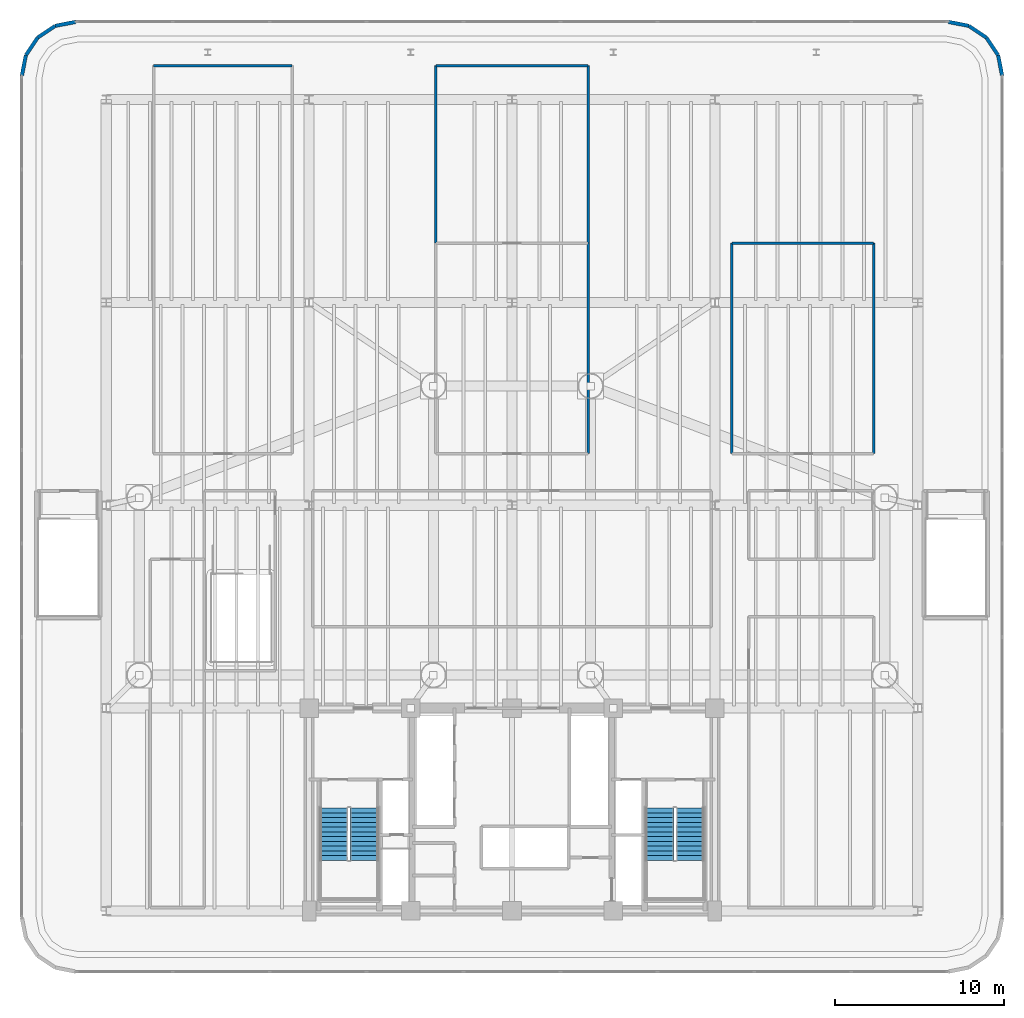
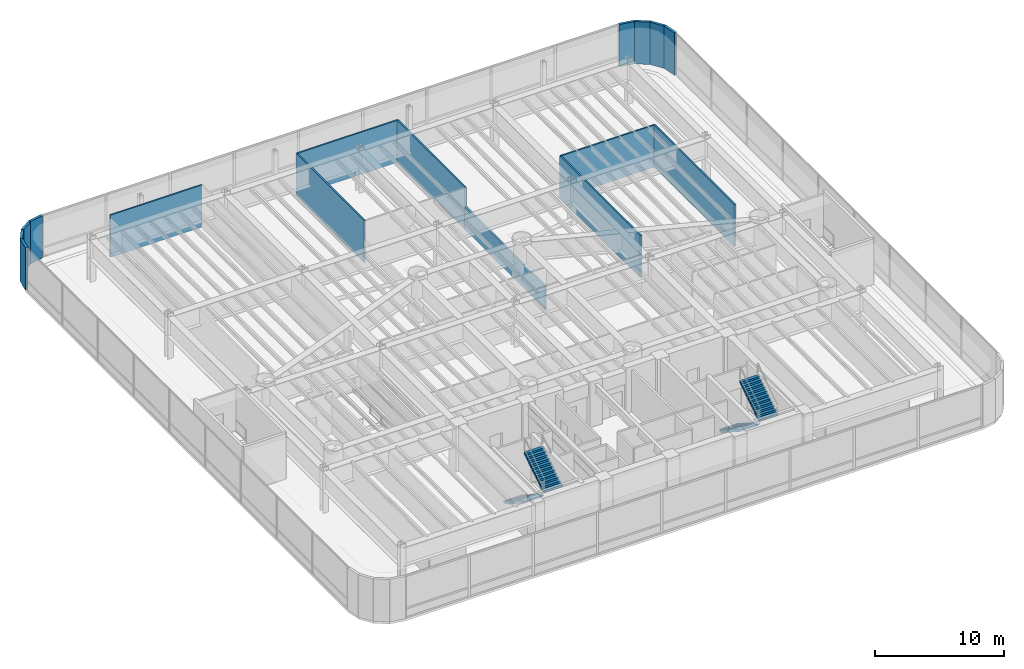
# One storey, part 15 of 18: 16 walls, 4 stair flights, 2 elements without a shape of their own.
"""IFC4 building model written with IfcOpenShell, lengths in metres."""

from ifc_helpers import new_model, si_unit, direction, frame, frame_2d, origin, place, context, subcontext, project, spatial, polyline, rectangle, outline, extrude, material, layer, layer_set, type_object, element, aggregate, save


model = new_model("IFC4")

# Units and contexts
model_context = context("Model", 3, precision=1e-05, world=origin(), true_north=direction((0.0, 1.0)))
body_context = subcontext(model_context, "Body", "Model", "MODEL_VIEW")
ifc_project = project(units=[si_unit("LENGTHUNIT", "METRE"), si_unit("AREAUNIT", "SQUARE_METRE"), si_unit("VOLUMEUNIT", "CUBIC_METRE"), si_unit("PLANEANGLEUNIT", "RADIAN"), si_unit("MASSUNIT", "GRAM", prefix="KILO")], contexts=[model_context])

# Site, building, storey
site_placement = place(None, origin())
site = spatial("IfcSite", under=ifc_project, at=site_placement, CompositionType="ELEMENT")
building_placement = place(site_placement, origin())
building = spatial("IfcBuilding", under=site, at=building_placement, Name="Brelvock Crest Care Tower", CompositionType="ELEMENT")
storey_placement = place(building_placement, frame((0.0, 0.0, 22.679931640625)))
storey = spatial("IfcBuildingStorey", under=building, at=storey_placement, Name="L05", CompositionType="ELEMENT", Elevation=22.679931640625)

# Walls
ifc_material_1 = material(Name="Precast concrete N40 (40 MPa)", Category="concrete")
ifc_layer_1 = layer(ifc_material_1, 0.215087890625, Name="WL-EX2")
ifc_layer_set_1 = layer_set([ifc_layer_1], Name="Precast concrete N40 (40 MPa)")
wall_type_1 = type_object("IfcWallType", Name="WL-EX2", PredefinedType="SOLIDWALL", material=ifc_layer_set_1)
for number, where, z_axis, x_axis, name in (
    (1, (7.0, 55.39990234375, 0.0), (0.0, 0.0, 1.0), (0.195138390419, 0.980775717779, 0.0), "L05 Rounded Corner Wall 05"),
    (2, (7.24365234375, 56.62451171875, 0.0), (0.0, 0.0, 1.0), (0.555557312883, 0.831478245117, 0.0), "L05 Rounded Corner Wall 06"),
    (3, (7.937255859375, 57.66259765625, 0.0), (0.0, 0.0, 1.0), (0.831387912822, 0.555692485475, 0.0), "L05 Rounded Corner Wall 07"),
    (4, (8.975341796875, 58.3564453125, 0.0), (0.0, 0.0, 1.0), (0.980775717779, 0.195138390419, 0.0), "L05 Rounded Corner Wall 08"),
    (5, (61.800048828125, 58.60009765625, 0.0), (0.0, 0.0, 1.0), (0.980775717779, -0.195138390419, 0.0), "L05 Rounded Corner Wall 10"),
    (6, (63.024658203125, 58.3564453125, 0.0), (0.0, 0.0, 1.0), (0.831387912822, -0.555692485475, 0.0), "L05 Rounded Corner Wall 11"),
    (7, (64.062744140625, 57.66259765625, 0.0), (0.0, 0.0, 1.0), (0.555557312883, -0.831478245117, 0.0), "L05 Rounded Corner Wall 12"),
    (8, (64.75634765625, 56.62451171875, 0.0), (0.0, 0.0, 1.0), (0.195138390419, -0.980775717779, 0.0), "L05 Rounded Corner Wall 13"),
):
    element("IfcWall", number, at=place(storey_placement, frame(where, z_axis=z_axis, x_axis=x_axis)), inside=storey, type_object=wall_type_1, Name=name, PredefinedType="SOLIDWALL", context=body_context, shape_type="SweptSolid", body=[
        extrude(rectangle(XDim=1.24853515625, YDim=0.215087890625, at=frame_2d((0.624267578125, 0.0))), origin(), (0.0, 0.0, 1.0), 4.0),
    ])
ifc_material_2 = material(Name="Masonry Blockwork Acoustic Partition", Category="masonry")
ifc_layer_2 = layer(ifc_material_2, 0.14990234375, Name="WL-INT1")
ifc_layer_set_2 = layer_set([ifc_layer_2], Name="Masonry Blockwork Acoustic Partition")
wall_type_2 = type_object("IfcWallType", Name="WL-INT1", PredefinedType="PARTITIONING", material=ifc_layer_set_2)
wall_1_placement = place(storey_placement, frame((49.0, 45.5, 0.0), z_axis=(0.0, 0.0, 1.0), x_axis=(1.0, 0.0, 0.0)))
element("IfcWall", 9, at=wall_1_placement, inside=storey, type_object=wall_type_2, Name="L05 Interior Wall WL-BX-L05-OFF2-N", PredefinedType="PARTITIONING", context=body_context, shape_type="SweptSolid", body=[
    extrude(rectangle(XDim=8.39990234375, YDim=0.14990234375, at=frame_2d((4.199951171875, 0.0))), origin(), (0.0, 0.0, 1.0), 3.969970703125),
])
wall_2_placement = place(storey_placement, frame((14.800048828125, 56.0, 0.0), z_axis=(0.0, 0.0, 1.0), x_axis=(1.0, 0.0, 0.0)))
element("IfcWall", 10, at=wall_2_placement, inside=storey, type_object=wall_type_2, Name="L05 Interior Wall WL-BX-L05-AUD-N", PredefinedType="PARTITIONING", context=body_context, shape_type="SweptSolid", body=[
    extrude(rectangle(XDim=8.199951171875, YDim=0.14990234375, at=frame_2d((4.10009765625, 0.0))), origin(), (0.0, 0.0, 1.0), 3.969970703125),
])
wall_3_placement = place(storey_placement, frame((31.5, 56.0, 0.0), z_axis=(0.0, 0.0, 1.0), x_axis=(1.0, 0.0, 0.0)))
element("IfcWall", 11, at=wall_3_placement, inside=storey, type_object=wall_type_2, Name="L05 Interior Wall WL-BX-L05-OFF3-N", PredefinedType="PARTITIONING", context=body_context, shape_type="SweptSolid", body=[
    extrude(rectangle(XDim=9.0, YDim=0.14990234375, at=frame_2d((4.5, 0.0))), origin(), (0.0, 0.0, 1.0), 3.969970703125),
])
wall_4_placement = place(storey_placement, frame((31.5, 45.5, 0.0), z_axis=(0.0, 0.0, 1.0), x_axis=(0.0, 1.0, 0.0)))
element("IfcWall", 12, at=wall_4_placement, inside=storey, type_object=wall_type_2, Name="L05 Interior Wall WL-BX-L05-OFF3-W", PredefinedType="PARTITIONING", context=body_context, shape_type="SweptSolid", body=[
    extrude(rectangle(XDim=10.5, YDim=0.14990234375, at=frame_2d((5.25, 0.0))), origin(), (0.0, 0.0, 1.0), 3.969970703125),
])
wall_5_placement = place(storey_placement, frame((40.5, 33.050048828125, 0.0), z_axis=(0.0, 0.0, 1.0), x_axis=(0.0, 1.0, 0.0)))
element("IfcWall", 13, at=wall_5_placement, inside=storey, type_object=wall_type_2, Name="L05 Interior Wall WL-BX-L05-OFF1-E", PredefinedType="PARTITIONING", context=body_context, shape_type="SweptSolid", body=[
    extrude(rectangle(XDim=12.449951171875, YDim=0.14990234375, at=frame_2d((6.22509765625, 0.0))), origin(), (0.0, 0.0, 1.0), 2.18505859375),
])
wall_6_placement = place(storey_placement, frame((40.5, 45.5, 0.0), z_axis=(0.0, 0.0, 1.0), x_axis=(0.0, 1.0, 0.0)))
element("IfcWall", 14, at=wall_6_placement, inside=storey, type_object=wall_type_2, Name="L05 Interior Wall WL-BX-L05-OFF3-E", PredefinedType="PARTITIONING", context=body_context, shape_type="SweptSolid", body=[
    extrude(rectangle(XDim=10.5, YDim=0.14990234375, at=frame_2d((5.25, 0.0))), origin(), (0.0, 0.0, 1.0), 3.969970703125),
])
for number, where, z_axis, x_axis, name in (
    (15, (49.0, 33.050048828125, 0.0), (0.0, 0.0, 1.0), (0.0, 1.0, 0.0), "L05 Interior Wall WL-BX-L05-OFF2-W"),
    (16, (57.39990234375, 33.050048828125, 0.0), (0.0, 0.0, 1.0), (0.0, 1.0, 0.0), "L05 Interior Wall WL-BX-L05-OFF2-E"),
):
    element("IfcWall", number, at=place(storey_placement, frame(where, z_axis=z_axis, x_axis=x_axis)), inside=storey, type_object=wall_type_2, Name=name, PredefinedType="PARTITIONING", context=body_context, shape_type="SweptSolid", body=[
        extrude(rectangle(XDim=12.449951171875, YDim=0.14990234375, at=frame_2d((6.22509765625, 0.0))), origin(), (0.0, 0.0, 1.0), 3.969970703125),
    ])

# Stair, stair flights
ifc_material_3 = material(Name="Concrete N40 (40 MPa)", Category="concrete")
stair_type = type_object("IfcStairType", Name="ST-CORE1", PredefinedType="HALF_TURN_STAIR", material=ifc_material_3)
stair_1_placement = place(storey_placement, origin())
stair_1 = element("IfcStair", 17, at=stair_1_placement, inside=storey, type_object=stair_type, Name="L05 Fire-Isolated Core Stair ST-1", PredefinedType="HALF_TURN_STAIR")
stair_flight_type = type_object("IfcStairFlightType", Name="STF-1", PredefinedType="STRAIGHT", material=ifc_material_3)
stair_flight_1_placement = place(storey_placement, frame((25.469970703125, 12.080078125, 0.0), z_axis=(0.0, 0.0, 1.0), x_axis=(0.0, -1.0, 0.0)))
stair_flight_1 = element("IfcStairFlight", 18, at=stair_flight_1_placement, type_object=stair_flight_type, Name="ST-1 flight 1", NumberOfRisers=12, NumberOfTreads=11, PredefinedType="STRAIGHT", RiserHeight=0.18, TreadLength=0.28, context=body_context, shape_type="SweptSolid", body=[
    extrude(outline(polyline([(-0.00390625, -0.014892578125), (-0.00390625, -0.008056640625), (-0.00390625, -0.0009765625), (-0.00390625, 0.005859375), (-0.00390625, 0.012939453125), (-0.00390625, 0.019775390625), (-0.00390625, 0.02685546875), (-0.00390625, 0.03369140625), (-0.00390625, 0.040771484375), (-0.00390625, 0.047607421875), (-0.00390625, 0.0546875), (-0.00390625, 0.0615234375), (-0.00390625, 0.068603515625), (-0.00390625, 0.075439453125), (-0.00390625, 0.08251953125), (-0.00390625, 0.08935546875), (-0.00390625, 0.096435546875), (-0.00390625, 0.103271484375), (-0.00390625, 0.1103515625), (-0.00390625, 0.117431640625), (-0.00390625, 0.124267578125), (-0.00390625, 0.13134765625), (-0.00390625, 0.13818359375), (-0.00390625, 0.145263671875), (-0.00390625, 0.152099609375), (-0.00390625, 0.1591796875), (-0.00390625, 0.166015625), (-0.00390625, 0.173095703125), (-0.00390625, 0.179931640625), (0.0, 0.179931640625), (0.280029296875, 0.179931640625), (0.280029296875, 0.360107421875), (0.56005859375, 0.360107421875), (0.56005859375, 0.5400390625), (0.840087890625, 0.5400390625), (0.840087890625, 0.719970703125), (1.1201171875, 0.719970703125), (1.1201171875, 0.89990234375), (1.39990234375, 0.89990234375), (1.39990234375, 1.080078125), (1.679931640625, 1.080078125), (1.679931640625, 1.260009765625), (1.9599609375, 1.260009765625), (1.9599609375, 1.43994140625), (2.239990234375, 1.43994140625), (2.239990234375, 1.6201171875), (2.52001953125, 1.6201171875), (2.52001953125, 1.800048828125), (2.800048828125, 1.800048828125), (2.800048828125, 1.97998046875), (3.080078125, 1.97998046875), (3.083984375, 1.97998046875), (3.083740234375, 1.979248046875), (3.083984375, 1.978759765625), (3.083740234375, 1.97802734375), (3.083984375, 1.9775390625), (3.083740234375, 1.976806640625), (3.083984375, 1.97607421875), (3.083740234375, 1.9755859375), (3.083984375, 1.974853515625), (3.083740234375, 1.97412109375), (3.083984375, 1.9736328125), (3.083740234375, 1.972900390625), (3.083984375, 1.97216796875), (3.083740234375, 1.9716796875), (3.083984375, 1.970947265625), (3.083740234375, 1.970458984375), (3.083984375, 1.9697265625), (3.083740234375, 1.968994140625), (3.083984375, 1.968505859375), (3.083740234375, 1.9677734375), (3.083984375, 1.967041015625), (3.083740234375, 1.966552734375), (3.083984375, 1.9658203125), (3.083740234375, 1.96533203125), (3.083984375, 1.964599609375), (3.083740234375, 1.9638671875), (3.083984375, 1.96337890625), (3.083740234375, 1.962646484375), (3.083984375, 1.9619140625), (3.080078125, 1.8017578125), (0.277099609375, 0.0), (0.0, 0.0), (0.0, -0.014892578125), (-0.00390625, -0.014892578125)])), frame((0.0, 0.83984375, 0.0), z_axis=(0.0, -1.0, 0.0), x_axis=(1.0, 0.0, 0.0)), (0.0, 0.0, 1.0), 1.679931640625),
])
stair_flight_2_placement = place(storey_placement, frame((27.27001953125, 9.0, 2.16015625), z_axis=(0.0, 0.0, 1.0), x_axis=(0.0, 1.0, 0.0)))
stair_flight_2 = element("IfcStairFlight", 19, at=stair_flight_2_placement, type_object=stair_flight_type, Name="ST-1 flight 2", NumberOfRisers=12, NumberOfTreads=11, PredefinedType="STRAIGHT", RiserHeight=0.18, TreadLength=0.28, context=body_context, shape_type="SweptSolid", body=[
    extrude(outline(polyline([(-0.00390625, -0.014892578125), (-0.00390625, -0.008056640625), (-0.00390625, -0.0009765625), (-0.00390625, 0.005859375), (-0.00390625, 0.012939453125), (-0.00390625, 0.019775390625), (-0.00390625, 0.02685546875), (-0.00390625, 0.03369140625), (-0.00390625, 0.040771484375), (-0.00390625, 0.047607421875), (-0.00390625, 0.0546875), (-0.00390625, 0.0615234375), (-0.00390625, 0.068603515625), (-0.00390625, 0.075439453125), (-0.00390625, 0.08251953125), (-0.00390625, 0.08935546875), (-0.00390625, 0.096435546875), (-0.00390625, 0.103271484375), (-0.00390625, 0.1103515625), (-0.00390625, 0.117431640625), (-0.00390625, 0.124267578125), (-0.00390625, 0.13134765625), (-0.00390625, 0.13818359375), (-0.00390625, 0.145263671875), (-0.00390625, 0.152099609375), (-0.00390625, 0.1591796875), (-0.00390625, 0.166015625), (-0.00390625, 0.173095703125), (-0.00390625, 0.179931640625), (0.0, 0.179931640625), (0.280029296875, 0.179931640625), (0.280029296875, 0.360107421875), (0.56005859375, 0.360107421875), (0.56005859375, 0.5400390625), (0.840087890625, 0.5400390625), (0.840087890625, 0.719970703125), (1.1201171875, 0.719970703125), (1.1201171875, 0.89990234375), (1.39990234375, 0.89990234375), (1.39990234375, 1.080078125), (1.679931640625, 1.080078125), (1.679931640625, 1.260009765625), (1.9599609375, 1.260009765625), (1.9599609375, 1.43994140625), (2.239990234375, 1.43994140625), (2.239990234375, 1.6201171875), (2.52001953125, 1.6201171875), (2.52001953125, 1.800048828125), (2.800048828125, 1.800048828125), (2.800048828125, 1.97998046875), (3.080078125, 1.97998046875), (3.083984375, 1.97998046875), (3.083740234375, 1.979248046875), (3.083984375, 1.978759765625), (3.083740234375, 1.97802734375), (3.083984375, 1.9775390625), (3.083740234375, 1.976806640625), (3.083984375, 1.97607421875), (3.083740234375, 1.9755859375), (3.083984375, 1.974853515625), (3.083740234375, 1.97412109375), (3.083984375, 1.9736328125), (3.083740234375, 1.972900390625), (3.083984375, 1.97216796875), (3.083740234375, 1.9716796875), (3.083984375, 1.970947265625), (3.083740234375, 1.970458984375), (3.083984375, 1.9697265625), (3.083740234375, 1.968994140625), (3.083984375, 1.968505859375), (3.083740234375, 1.9677734375), (3.083984375, 1.967041015625), (3.083740234375, 1.966552734375), (3.083984375, 1.9658203125), (3.083740234375, 1.96533203125), (3.083984375, 1.964599609375), (3.083740234375, 1.9638671875), (3.083984375, 1.96337890625), (3.083740234375, 1.962646484375), (3.083984375, 1.9619140625), (3.080078125, 1.8017578125), (0.277099609375, 0.0), (0.0, 0.0), (0.0, -0.014892578125), (-0.00390625, -0.014892578125)])), frame((0.0, 0.83984375, 0.0), z_axis=(0.0, -1.0, 0.0), x_axis=(1.0, 0.0, 0.0)), (0.0, 0.0, 1.0), 1.679931640625),
])
aggregate(stair_1, [stair_flight_1, stair_flight_2])

stair_2_placement = place(storey_placement, origin())
stair_2 = element("IfcStair", 20, at=stair_2_placement, inside=storey, type_object=stair_type, Name="L05 Fire-Isolated Core Stair ST-2", PredefinedType="HALF_TURN_STAIR")
stair_flight_3_placement = place(storey_placement, frame((44.72998046875, 12.080078125, 0.0), z_axis=(0.0, 0.0, 1.0), x_axis=(0.0, -1.0, 0.0)))
stair_flight_3 = element("IfcStairFlight", 21, at=stair_flight_3_placement, type_object=stair_flight_type, Name="ST-2 flight 1", NumberOfRisers=12, NumberOfTreads=11, PredefinedType="STRAIGHT", RiserHeight=0.18, TreadLength=0.28, context=body_context, shape_type="SweptSolid", body=[
    extrude(outline(polyline([(-0.00390625, -0.014892578125), (-0.00390625, -0.008056640625), (-0.00390625, -0.0009765625), (-0.00390625, 0.005859375), (-0.00390625, 0.012939453125), (-0.00390625, 0.019775390625), (-0.00390625, 0.02685546875), (-0.00390625, 0.03369140625), (-0.00390625, 0.040771484375), (-0.00390625, 0.047607421875), (-0.00390625, 0.0546875), (-0.00390625, 0.0615234375), (-0.00390625, 0.068603515625), (-0.00390625, 0.075439453125), (-0.00390625, 0.08251953125), (-0.00390625, 0.08935546875), (-0.00390625, 0.096435546875), (-0.00390625, 0.103271484375), (-0.00390625, 0.1103515625), (-0.00390625, 0.117431640625), (-0.00390625, 0.124267578125), (-0.00390625, 0.13134765625), (-0.00390625, 0.13818359375), (-0.00390625, 0.145263671875), (-0.00390625, 0.152099609375), (-0.00390625, 0.1591796875), (-0.00390625, 0.166015625), (-0.00390625, 0.173095703125), (-0.00390625, 0.179931640625), (0.0, 0.179931640625), (0.280029296875, 0.179931640625), (0.280029296875, 0.360107421875), (0.56005859375, 0.360107421875), (0.56005859375, 0.5400390625), (0.840087890625, 0.5400390625), (0.840087890625, 0.719970703125), (1.1201171875, 0.719970703125), (1.1201171875, 0.89990234375), (1.39990234375, 0.89990234375), (1.39990234375, 1.080078125), (1.679931640625, 1.080078125), (1.679931640625, 1.260009765625), (1.9599609375, 1.260009765625), (1.9599609375, 1.43994140625), (2.239990234375, 1.43994140625), (2.239990234375, 1.6201171875), (2.52001953125, 1.6201171875), (2.52001953125, 1.800048828125), (2.800048828125, 1.800048828125), (2.800048828125, 1.97998046875), (3.080078125, 1.97998046875), (3.083984375, 1.97998046875), (3.083740234375, 1.979248046875), (3.083984375, 1.978759765625), (3.083740234375, 1.97802734375), (3.083984375, 1.9775390625), (3.083740234375, 1.976806640625), (3.083984375, 1.97607421875), (3.083740234375, 1.9755859375), (3.083984375, 1.974853515625), (3.083740234375, 1.97412109375), (3.083984375, 1.9736328125), (3.083740234375, 1.972900390625), (3.083984375, 1.97216796875), (3.083740234375, 1.9716796875), (3.083984375, 1.970947265625), (3.083740234375, 1.970458984375), (3.083984375, 1.9697265625), (3.083740234375, 1.968994140625), (3.083984375, 1.968505859375), (3.083740234375, 1.9677734375), (3.083984375, 1.967041015625), (3.083740234375, 1.966552734375), (3.083984375, 1.9658203125), (3.083740234375, 1.96533203125), (3.083984375, 1.964599609375), (3.083740234375, 1.9638671875), (3.083984375, 1.96337890625), (3.083740234375, 1.962646484375), (3.083984375, 1.9619140625), (3.080078125, 1.8017578125), (0.277099609375, 0.0), (0.0, 0.0), (0.0, -0.014892578125), (-0.00390625, -0.014892578125)])), frame((0.0, 0.83984375, 0.0), z_axis=(0.0, -1.0, 0.0), x_axis=(1.0, 0.0, 0.0)), (0.0, 0.0, 1.0), 1.679931640625),
])
stair_flight_4_placement = place(storey_placement, frame((46.530029296875, 9.0, 2.16015625), z_axis=(0.0, 0.0, 1.0), x_axis=(0.0, 1.0, 0.0)))
stair_flight_4 = element("IfcStairFlight", 22, at=stair_flight_4_placement, type_object=stair_flight_type, Name="ST-2 flight 2", NumberOfRisers=12, NumberOfTreads=11, PredefinedType="STRAIGHT", RiserHeight=0.18, TreadLength=0.28, context=body_context, shape_type="SweptSolid", body=[
    extrude(outline(polyline([(-0.00390625, -0.014892578125), (-0.00390625, -0.008056640625), (-0.00390625, -0.0009765625), (-0.00390625, 0.005859375), (-0.00390625, 0.012939453125), (-0.00390625, 0.019775390625), (-0.00390625, 0.02685546875), (-0.00390625, 0.03369140625), (-0.00390625, 0.040771484375), (-0.00390625, 0.047607421875), (-0.00390625, 0.0546875), (-0.00390625, 0.0615234375), (-0.00390625, 0.068603515625), (-0.00390625, 0.075439453125), (-0.00390625, 0.08251953125), (-0.00390625, 0.08935546875), (-0.00390625, 0.096435546875), (-0.00390625, 0.103271484375), (-0.00390625, 0.1103515625), (-0.00390625, 0.117431640625), (-0.00390625, 0.124267578125), (-0.00390625, 0.13134765625), (-0.00390625, 0.13818359375), (-0.00390625, 0.145263671875), (-0.00390625, 0.152099609375), (-0.00390625, 0.1591796875), (-0.00390625, 0.166015625), (-0.00390625, 0.173095703125), (-0.00390625, 0.179931640625), (0.0, 0.179931640625), (0.280029296875, 0.179931640625), (0.280029296875, 0.360107421875), (0.56005859375, 0.360107421875), (0.56005859375, 0.5400390625), (0.840087890625, 0.5400390625), (0.840087890625, 0.719970703125), (1.1201171875, 0.719970703125), (1.1201171875, 0.89990234375), (1.39990234375, 0.89990234375), (1.39990234375, 1.080078125), (1.679931640625, 1.080078125), (1.679931640625, 1.260009765625), (1.9599609375, 1.260009765625), (1.9599609375, 1.43994140625), (2.239990234375, 1.43994140625), (2.239990234375, 1.6201171875), (2.52001953125, 1.6201171875), (2.52001953125, 1.800048828125), (2.800048828125, 1.800048828125), (2.800048828125, 1.97998046875), (3.080078125, 1.97998046875), (3.083984375, 1.97998046875), (3.083740234375, 1.979248046875), (3.083984375, 1.978759765625), (3.083740234375, 1.97802734375), (3.083984375, 1.9775390625), (3.083740234375, 1.976806640625), (3.083984375, 1.97607421875), (3.083740234375, 1.9755859375), (3.083984375, 1.974853515625), (3.083740234375, 1.97412109375), (3.083984375, 1.9736328125), (3.083740234375, 1.972900390625), (3.083984375, 1.97216796875), (3.083740234375, 1.9716796875), (3.083984375, 1.970947265625), (3.083740234375, 1.970458984375), (3.083984375, 1.9697265625), (3.083740234375, 1.968994140625), (3.083984375, 1.968505859375), (3.083740234375, 1.9677734375), (3.083984375, 1.967041015625), (3.083740234375, 1.966552734375), (3.083984375, 1.9658203125), (3.083740234375, 1.96533203125), (3.083984375, 1.964599609375), (3.083740234375, 1.9638671875), (3.083984375, 1.96337890625), (3.083740234375, 1.962646484375), (3.083984375, 1.9619140625), (3.080078125, 1.8017578125), (0.277099609375, 0.0), (0.0, 0.0), (0.0, -0.014892578125), (-0.00390625, -0.014892578125)])), frame((0.0, 0.83984375, 0.0), z_axis=(0.0, -1.0, 0.0), x_axis=(1.0, 0.0, 0.0)), (0.0, 0.0, 1.0), 1.679931640625),
])
aggregate(stair_2, [stair_flight_3, stair_flight_4])

save(model, "model.ifc")
